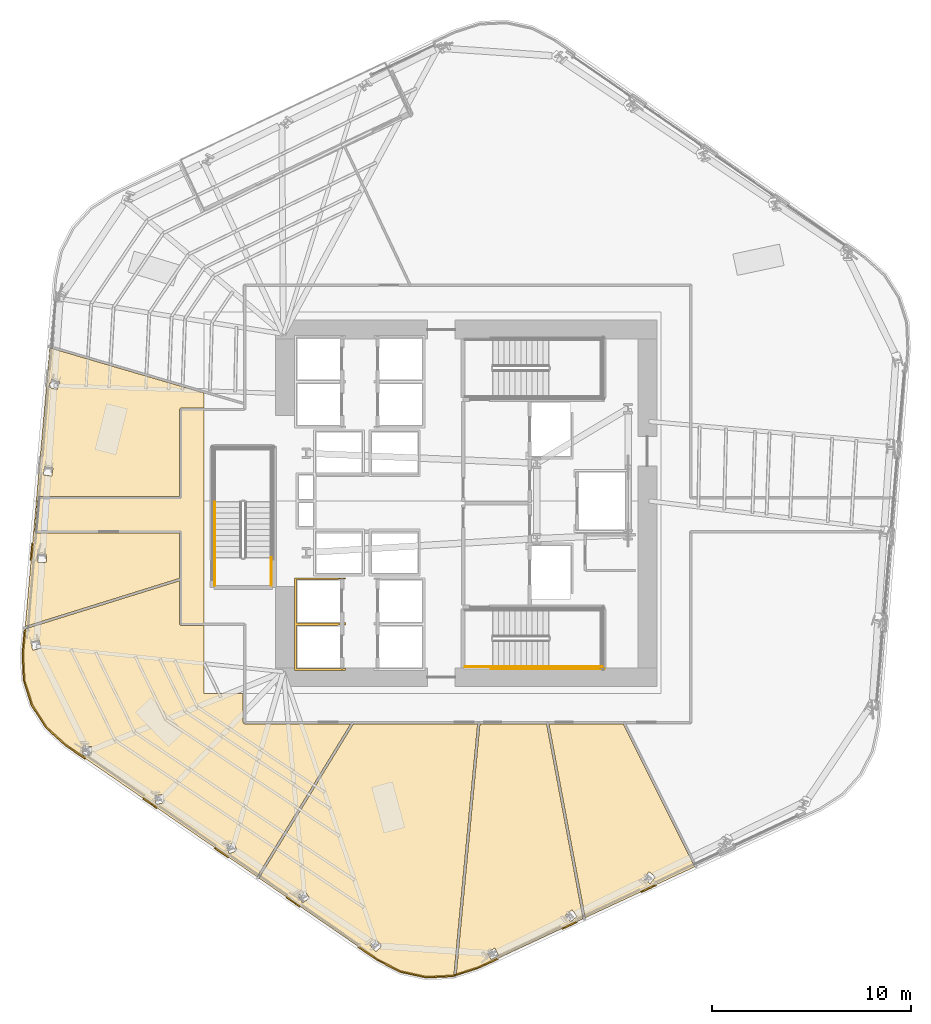
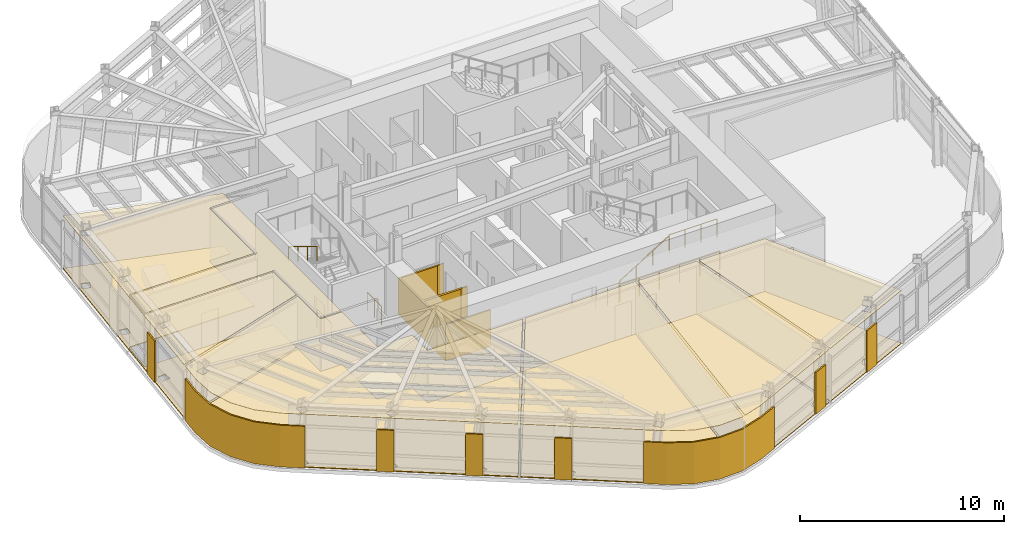
# One storey, part 12 of 19: 20 coverings, 7 railings.
"""IFC4 building model written with IfcOpenShell, lengths in metres."""

from ifc_helpers import new_model, si_unit, direction, frame, origin, origin_2d, place, context, subcontext, project, spatial, polyline, circle, outline, extrude, material, layer, layer_set, type_object, element, save


model = new_model("IFC4")

# Units and contexts
model_context = context("Model", 3, precision=1e-05, world=origin(), true_north=direction((0.0, 1.0)))
body_context = subcontext(model_context, "Body", "Model", "MODEL_VIEW")
ifc_project = project(units=[si_unit("LENGTHUNIT", "METRE"), si_unit("AREAUNIT", "SQUARE_METRE"), si_unit("VOLUMEUNIT", "CUBIC_METRE"), si_unit("PLANEANGLEUNIT", "RADIAN"), si_unit("MASSUNIT", "GRAM", prefix="KILO")], contexts=[model_context])

# Site, building, storey
site_placement = place(None, origin())
site = spatial("IfcSite", under=ifc_project, at=site_placement, CompositionType="ELEMENT")
building_placement = place(site_placement, origin())
building = spatial("IfcBuilding", under=site, at=building_placement, Name="Valkerne Bourse Tower", CompositionType="ELEMENT")
storey_placement = place(building_placement, frame((0.0, 0.0, 131.39990234375)))
storey = spatial("IfcBuildingStorey", under=building, at=storey_placement, Name="L33", CompositionType="ELEMENT", Elevation=131.39990234375)

# Coverings
ifc_material_1 = material(Name="Mineral Fiber Acoustic Ceiling Tile", Category="acoustic")
ifc_layer_1 = layer(ifc_material_1, 0.02490234375)
ifc_layer_set_1 = layer_set([ifc_layer_1], Name="Mineral Fiber Acoustic Ceiling Tile")
covering_type_1 = type_object("IfcCoveringType", Name="COV-CEIL-ACT", PredefinedType="CEILING", material=ifc_layer_set_1)
covering_1_placement = place(storey_placement, frame((0.0, 0.0, 3.170166015625)))
element("IfcCovering", 1, at=covering_1_placement, inside=storey, type_object=covering_type_1, Name="L33 Suspended Ceiling 03", PredefinedType="CEILING", context=body_context, shape_type="SweptSolid", body=[
    extrude(outline(polyline([(54.702880859375, 15.781005859375), (58.3046875, 8.58837890625), (52.791748046875, 6.022705078125), (50.965576171875, 15.781005859375), (54.702880859375, 15.781005859375)]), holes=[polyline([(56.05615234375, 7.7412109375), (56.32763671875, 8.07568359375), (56.005126953125, 8.339111328125), (56.002197265625, 8.337890625), (55.730712890625, 8.00341796875), (56.053466796875, 7.739990234375), (56.05615234375, 7.7412109375)])]), origin(), (0.0, 0.0, 1.0), 0.02490234375),
])
covering_2_placement = place(storey_placement, frame((0.0, 0.0, 3.170166015625)))
element("IfcCovering", 2, at=covering_2_placement, inside=storey, type_object=covering_type_1, Name="L33 Suspended Ceiling 04", PredefinedType="CEILING", context=body_context, shape_type="SweptSolid", body=[
    extrude(outline(polyline([(47.494873046875, 15.781005859375), (50.845458984375, 15.781005859375), (52.681396484375, 5.97119140625), (47.3720703125, 3.50048828125), (46.301513671875, 3.15869140625), (47.494873046875, 15.781005859375)]), holes=[polyline([(48.05810546875, 3.917236328125), (48.43701171875, 4.121826171875), (48.240234375, 4.489013671875), (48.237060546875, 4.48876953125), (47.858154296875, 4.2841796875), (48.0546875, 3.9169921875), (48.05810546875, 3.917236328125)]), polyline([(52.387939453125, 6.095947265625), (52.125732421875, 6.419677734375), (52.122802734375, 6.4189453125), (51.788818359375, 6.146728515625), (52.051025390625, 5.822998046875), (52.05419921875, 5.82373046875), (52.387939453125, 6.095947265625)])]), origin(), (0.0, 0.0, 1.0), 0.02490234375),
])
covering_3_placement = place(storey_placement, frame((0.0, 0.0, 3.170166015625)))
element("IfcCovering", 3, at=covering_3_placement, inside=storey, type_object=covering_type_1, Name="L33 Suspended Ceiling 05", PredefinedType="CEILING", context=body_context, shape_type="SweptSolid", body=[
    extrude(outline(polyline([(32.449462890625, 31.6689453125), (32.419921875, 31.662109375), (32.39404296875, 31.640625), (32.381103515625, 31.6005859375), (32.381103515625, 27.218994140625), (25.31884765625, 27.218994140625), (25.2900390625, 27.212646484375), (25.26806640625, 27.1962890625), (25.25048828125, 27.15673828125), (25.1005859375, 25.455322265625), (25.113525390625, 25.408935546875), (25.15185546875, 25.383056640625), (32.381103515625, 25.381103515625), (32.381103515625, 23.1044921875), (24.612060546875, 20.68212890625), (25.84912109375, 34.701416015625), (33.60009765625, 32.431396484375), (33.60009765625, 31.6689453125), (32.449462890625, 31.6689453125)]), holes=[polyline([(25.662841796875, 24.3310546875), (25.662353515625, 24.334228515625), (25.230712890625, 24.314453125), (25.249267578125, 23.899658203125), (25.24951171875, 23.896484375), (25.681396484375, 23.916259765625), (25.662841796875, 24.3310546875)]), polyline([(26.01171875, 28.65966796875), (25.5849609375, 28.728271484375), (25.518798828125, 28.318359375), (25.5185546875, 28.315185546875), (25.9453125, 28.24658203125), (26.011474609375, 28.65673828125), (26.01171875, 28.65966796875)]), polyline([(26.349853515625, 32.974853515625), (26.350830078125, 32.977783203125), (25.947021484375, 33.1318359375), (25.798583984375, 32.743896484375), (25.7978515625, 32.740966796875), (26.20166015625, 32.5869140625), (26.349853515625, 32.974853515625)])]), origin(), (0.0, 0.0, 1.0), 0.02490234375),
])
covering_4_placement = place(storey_placement, frame((0.0, 0.0, 3.170166015625)))
element("IfcCovering", 4, at=covering_4_placement, inside=storey, type_object=covering_type_1, Name="L33 Suspended Ceiling 06", PredefinedType="CEILING", context=body_context, shape_type="SweptSolid", body=[
    extrude(outline(polyline([(43.498291015625, 3.315185546875), (42.31689453125, 3.9248046875), (36.375732421875, 8.016845703125), (41.12841796875, 15.781005859375), (47.376220703125, 15.781005859375), (46.179443359375, 3.11962890625), (46.105712890625, 3.09619140625), (44.78759765625, 3.033935546875), (43.498291015625, 3.315185546875)]), holes=[polyline([(42.2626953125, 4.919189453125), (42.25927734375, 4.919921875), (41.95751953125, 4.63330078125), (42.2529296875, 4.319580078125), (42.256103515625, 4.319091796875), (42.55810546875, 4.605712890625), (42.2626953125, 4.919189453125)]), polyline([(38.68701171875, 7.366943359375), (38.68408203125, 7.3681640625), (38.333740234375, 7.143310546875), (38.565185546875, 6.779541015625), (38.568115234375, 6.7783203125), (38.91845703125, 7.00341796875), (38.68701171875, 7.366943359375)])]), origin(), (0.0, 0.0, 1.0), 0.02490234375),
])
covering_5_placement = place(storey_placement, frame((0.0, 0.0, 3.170166015625)))
element("IfcCovering", 5, at=covering_5_placement, inside=storey, type_object=covering_type_1, Name="L33 Suspended Ceiling 07", PredefinedType="CEILING", context=body_context, shape_type="SweptSolid", body=[
    extrude(outline(polyline([(24.9541015625, 16.72021484375), (24.552978515625, 17.977294921875), (24.490478515625, 19.3046875), (24.600830078125, 20.554931640625), (32.381103515625, 22.98095703125), (32.381103515625, 20.799560546875), (32.3876953125, 20.77001953125), (32.4091796875, 20.744140625), (32.449462890625, 20.73095703125), (33.60009765625, 20.73095703125), (33.60009765625, 17.300048828125), (35.5810546875, 17.300048828125), (35.5810546875, 15.849609375), (35.58740234375, 15.821044921875), (35.604248046875, 15.798095703125), (35.6494140625, 15.781005859375), (40.989990234375, 15.781005859375), (36.278564453125, 8.083984375), (26.64990234375, 14.715576171875), (25.6669921875, 15.609619140625), (24.9541015625, 16.72021484375)]), holes=[polyline([(35.11376953125, 9.802001953125), (35.111083984375, 9.8037109375), (34.722412109375, 9.655029296875), (34.875, 9.251708984375), (34.877685546875, 9.25), (35.266357421875, 9.39892578125), (35.11376953125, 9.802001953125)]), polyline([(31.53564453125, 12.225830078125), (31.533447265625, 12.22802734375), (31.12255859375, 12.161376953125), (31.189697265625, 11.735595703125), (31.19189453125, 11.7333984375), (31.60302734375, 11.800048828125), (31.53564453125, 12.225830078125)]), polyline([(27.947021484375, 14.642578125), (27.945068359375, 14.645263671875), (27.529052734375, 14.656982421875), (27.51513671875, 14.226318359375), (27.516845703125, 14.2236328125), (27.93310546875, 14.2119140625), (27.947021484375, 14.642578125)]), polyline([(25.405517578125, 19.590087890625), (25.309326171875, 19.993896484375), (25.308349609375, 19.9970703125), (24.887939453125, 19.896484375), (24.984375, 19.492919921875), (24.9853515625, 19.48974609375), (25.405517578125, 19.590087890625)])]), origin(), (0.0, 0.0, 1.0), 0.02490234375),
])
ifc_material_2 = material(Name="Bronze Anodised Aluminium AA 6063-T6", Category="aluminium")
ifc_layer_2 = layer(ifc_material_2, 0.030029296875)
ifc_layer_set_2 = layer_set([ifc_layer_2], Name="Bronze Anodised Aluminium AA 6063-T6")
covering_type_2 = type_object("IfcCoveringType", Name="COV-CEIL-METAL", PredefinedType="CEILING", material=ifc_layer_set_2)
covering_6_placement = place(storey_placement, frame((0.0, 0.0, 3.170166015625)))
element("IfcCovering", 6, at=covering_6_placement, inside=storey, type_object=covering_type_2, Name="L33 Suspended Ceiling 02", PredefinedType="CEILING", context=body_context, shape_type="SweptSolid", body=[
    extrude(outline(polyline([(32.4541015625, 20.803955078125), (32.4541015625, 25.4541015625), (25.173583984375, 25.4541015625), (25.322998046875, 27.14599609375), (32.4541015625, 27.14599609375), (32.4541015625, 31.595947265625), (33.60009765625, 31.595947265625), (33.60009765625, 20.803955078125), (32.4541015625, 20.803955078125)])), origin(), (0.0, 0.0, 1.0), 0.02490234375),
])
ifc_layer_3 = layer(ifc_material_2, 0.06005859375)
ifc_layer_set_3 = layer_set([ifc_layer_3], Name="Bronze Anodised Aluminium AA 6063-T6")
covering_type_3 = type_object("IfcCoveringType", Name="COV-CRN-ALUM", PredefinedType="CLADDING", material=ifc_layer_set_3)
covering_7_placement = place(storey_placement, origin())
element("IfcCovering", 7, at=covering_7_placement, inside=storey, type_object=covering_type_3, Name="L33 Wind-Shaped Corner Aluminium Cladding 11", PredefinedType="CLADDING", context=body_context, shape_type="SweptSolid", body=[
    extrude(outline(polyline([(55.612060546875, 7.28662109375), (55.578125, 7.359130859375), (56.339599609375, 7.71337890625), (56.373779296875, 7.64111328125), (55.612060546875, 7.28662109375)])), origin(), (0.0, 0.0, 1.0), 2.5),
])
covering_8_placement = place(storey_placement, origin())
element("IfcCovering", 8, at=covering_8_placement, inside=storey, type_object=covering_type_3, Name="L33 Wind-Shaped Corner Aluminium Cladding 12", PredefinedType="CLADDING", context=body_context, shape_type="SweptSolid", body=[
    extrude(outline(polyline([(51.638427734375, 5.4375), (51.604248046875, 5.509765625), (52.365966796875, 5.8642578125), (52.39990234375, 5.791748046875), (51.638427734375, 5.4375)])), origin(), (0.0, 0.0, 1.0), 2.5),
])
covering_9_placement = place(storey_placement, origin())
element("IfcCovering", 9, at=covering_9_placement, inside=storey, type_object=covering_type_3, Name="L33 Wind-Shaped Corner Aluminium Cladding 13", PredefinedType="CLADDING", context=body_context, shape_type="SweptSolid", body=[
    extrude(outline(polyline([(47.38818359375, 3.459228515625), (46.11328125, 3.052490234375), (44.78369140625, 2.98974609375), (43.4833984375, 3.2734375), (42.294189453125, 3.88720703125), (41.351318359375, 4.53662109375), (41.39697265625, 4.602294921875), (42.33544921875, 3.955810546875), (43.510498046875, 3.349365234375), (44.79052734375, 3.0703125), (46.09912109375, 3.1318359375), (47.35888671875, 3.533935546875), (48.39208984375, 4.014892578125), (48.42626953125, 3.9423828125), (47.38818359375, 3.459228515625)])), origin(), (0.0, 0.0, 1.0), 2.5),
])
covering_10_placement = place(storey_placement, origin())
element("IfcCovering", 10, at=covering_10_placement, inside=storey, type_object=covering_type_3, Name="L33 Wind-Shaped Corner Aluminium Cladding 14", PredefinedType="CLADDING", context=body_context, shape_type="SweptSolid", body=[
    extrude(outline(polyline([(37.74169921875, 7.022705078125), (37.787109375, 7.08837890625), (38.47900390625, 6.612060546875), (38.433349609375, 6.54638671875), (37.74169921875, 7.022705078125)])), origin(), (0.0, 0.0, 1.0), 2.5),
])
covering_11_placement = place(storey_placement, origin())
element("IfcCovering", 11, at=covering_11_placement, inside=storey, type_object=covering_type_3, Name="L33 Wind-Shaped Corner Aluminium Cladding 15", PredefinedType="CLADDING", context=body_context, shape_type="SweptSolid", body=[
    extrude(outline(polyline([(34.1318359375, 9.5087890625), (34.177490234375, 9.574462890625), (34.869384765625, 9.09814453125), (34.82373046875, 9.032470703125), (34.1318359375, 9.5087890625)])), origin(), (0.0, 0.0, 1.0), 2.5),
])
covering_12_placement = place(storey_placement, origin())
element("IfcCovering", 12, at=covering_12_placement, inside=storey, type_object=covering_type_3, Name="L33 Wind-Shaped Corner Aluminium Cladding 16", PredefinedType="CLADDING", context=body_context, shape_type="SweptSolid", body=[
    extrude(outline(polyline([(30.522216796875, 11.9951171875), (30.56787109375, 12.060791015625), (31.259521484375, 11.584228515625), (31.214111328125, 11.5185546875), (30.522216796875, 11.9951171875)])), origin(), (0.0, 0.0, 1.0), 2.5),
])
covering_13_placement = place(storey_placement, origin())
element("IfcCovering", 13, at=covering_13_placement, inside=storey, type_object=covering_type_3, Name="L33 Wind-Shaped Corner Aluminium Cladding 17", PredefinedType="CLADDING", context=body_context, shape_type="SweptSolid", body=[
    extrude(outline(polyline([(26.62255859375, 14.680908203125), (25.633056640625, 15.5810546875), (24.9140625, 16.701171875), (24.509521484375, 17.969482421875), (24.4462890625, 19.305419921875), (24.551025390625, 20.492919921875), (24.630859375, 20.486083984375), (24.526611328125, 19.3037109375), (24.5888671875, 17.983642578125), (24.987060546875, 16.735595703125), (25.69482421875, 15.63330078125), (26.67236328125, 14.74365234375), (27.64990234375, 14.0703125), (27.604248046875, 14.004638671875), (26.62255859375, 14.680908203125)])), origin(), (0.0, 0.0, 1.0), 2.5),
])
covering_14_placement = place(storey_placement, origin())
element("IfcCovering", 14, at=covering_14_placement, inside=storey, type_object=covering_type_3, Name="L33 Wind-Shaped Corner Aluminium Cladding 18", PredefinedType="CLADDING", context=body_context, shape_type="SweptSolid", body=[
    extrude(outline(polyline([(24.936279296875, 24.85888671875), (25.01611328125, 24.852294921875), (24.9423828125, 24.015380859375), (24.862548828125, 24.022216796875), (24.936279296875, 24.85888671875)])), origin(), (0.0, 0.0, 1.0), 2.5),
])
ifc_material_3 = material(Name="Galvanised Painted Steel", Category="steel")
ifc_layer_4 = layer(ifc_material_3, 0.044921875)
ifc_layer_set_4 = layer_set([ifc_layer_4], Name="Galvanised Painted Steel")
covering_type_4 = type_object("IfcCoveringType", Name="COV-FLR-RAF", PredefinedType="FLOORING", material=ifc_layer_set_4)
covering_15_placement = place(storey_placement, origin())
element("IfcCovering", 15, at=covering_15_placement, inside=storey, type_object=covering_type_4, Name="L33 Floor Finish 05", PredefinedType="FLOORING", context=body_context, shape_type="SweptSolid", body=[
    extrude(outline(polyline([(32.449462890625, 31.6689453125), (32.419921875, 31.662109375), (32.39404296875, 31.640625), (32.381103515625, 31.6005859375), (32.381103515625, 27.218994140625), (25.31884765625, 27.218994140625), (25.2900390625, 27.212646484375), (25.26806640625, 27.1962890625), (25.25048828125, 27.15673828125), (25.1005859375, 25.455322265625), (25.113525390625, 25.408935546875), (25.15185546875, 25.383056640625), (32.381103515625, 25.381103515625), (32.381103515625, 23.1044921875), (24.612060546875, 20.68212890625), (25.84912109375, 34.701416015625), (33.60009765625, 32.431396484375), (33.60009765625, 31.6689453125), (32.449462890625, 31.6689453125)]), holes=[polyline([(25.662841796875, 24.3310546875), (25.662353515625, 24.334228515625), (25.230712890625, 24.314453125), (25.249267578125, 23.899658203125), (25.24951171875, 23.896484375), (25.681396484375, 23.916259765625), (25.662841796875, 24.3310546875)]), polyline([(26.01171875, 28.65966796875), (25.5849609375, 28.728271484375), (25.518798828125, 28.318359375), (25.5185546875, 28.315185546875), (25.9453125, 28.24658203125), (26.011474609375, 28.65673828125), (26.01171875, 28.65966796875)]), polyline([(26.349853515625, 32.974853515625), (26.350830078125, 32.977783203125), (25.947021484375, 33.1318359375), (25.798583984375, 32.743896484375), (25.7978515625, 32.740966796875), (26.20166015625, 32.5869140625), (26.349853515625, 32.974853515625)])]), origin(), (0.0, 0.0, 1.0), 0.045166015625),
])
covering_16_placement = place(storey_placement, origin())
element("IfcCovering", 16, at=covering_16_placement, inside=storey, type_object=covering_type_4, Name="L33 Floor Finish 06", PredefinedType="FLOORING", context=body_context, shape_type="SweptSolid", body=[
    extrude(outline(polyline([(43.498291015625, 3.315185546875), (42.31689453125, 3.9248046875), (36.375732421875, 8.016845703125), (41.12841796875, 15.781005859375), (47.376220703125, 15.781005859375), (46.179443359375, 3.11962890625), (46.105712890625, 3.09619140625), (44.78759765625, 3.033935546875), (43.498291015625, 3.315185546875)]), holes=[polyline([(42.2626953125, 4.919189453125), (42.25927734375, 4.919921875), (41.95751953125, 4.63330078125), (42.2529296875, 4.319580078125), (42.256103515625, 4.319091796875), (42.55810546875, 4.605712890625), (42.2626953125, 4.919189453125)]), polyline([(38.68701171875, 7.366943359375), (38.68408203125, 7.3681640625), (38.333740234375, 7.143310546875), (38.565185546875, 6.779541015625), (38.568115234375, 6.7783203125), (38.91845703125, 7.00341796875), (38.68701171875, 7.366943359375)])]), origin(), (0.0, 0.0, 1.0), 0.045166015625),
])
covering_17_placement = place(storey_placement, origin())
element("IfcCovering", 17, at=covering_17_placement, inside=storey, type_object=covering_type_4, Name="L33 Floor Finish 07", PredefinedType="FLOORING", context=body_context, shape_type="SweptSolid", body=[
    extrude(outline(polyline([(24.9541015625, 16.72021484375), (24.552978515625, 17.977294921875), (24.490478515625, 19.3046875), (24.600830078125, 20.554931640625), (32.381103515625, 22.98095703125), (32.381103515625, 20.799560546875), (32.3876953125, 20.77001953125), (32.4091796875, 20.744140625), (32.449462890625, 20.73095703125), (33.60009765625, 20.73095703125), (33.60009765625, 17.300048828125), (35.5810546875, 17.300048828125), (35.5810546875, 15.849609375), (35.58740234375, 15.821044921875), (35.604248046875, 15.798095703125), (35.6494140625, 15.781005859375), (40.989990234375, 15.781005859375), (36.278564453125, 8.083984375), (26.64990234375, 14.715576171875), (25.6669921875, 15.609619140625), (24.9541015625, 16.72021484375)]), holes=[polyline([(35.11376953125, 9.802001953125), (35.111083984375, 9.8037109375), (34.722412109375, 9.655029296875), (34.875, 9.251708984375), (34.877685546875, 9.25), (35.266357421875, 9.39892578125), (35.11376953125, 9.802001953125)]), polyline([(31.53564453125, 12.225830078125), (31.533447265625, 12.22802734375), (31.12255859375, 12.161376953125), (31.189697265625, 11.735595703125), (31.19189453125, 11.7333984375), (31.60302734375, 11.800048828125), (31.53564453125, 12.225830078125)]), polyline([(27.947021484375, 14.642578125), (27.945068359375, 14.645263671875), (27.529052734375, 14.656982421875), (27.51513671875, 14.226318359375), (27.516845703125, 14.2236328125), (27.93310546875, 14.2119140625), (27.947021484375, 14.642578125)]), polyline([(25.405517578125, 19.590087890625), (25.309326171875, 19.993896484375), (25.308349609375, 19.9970703125), (24.887939453125, 19.896484375), (24.984375, 19.492919921875), (24.9853515625, 19.48974609375), (25.405517578125, 19.590087890625)])]), origin(), (0.0, 0.0, 1.0), 0.045166015625),
])
ifc_material_4 = material(Name="Polished Granite Stone", Category="masonry")
ifc_layer_5 = layer(ifc_material_4, 0.030029296875)
ifc_layer_set_5 = layer_set([ifc_layer_5], Name="Polished Granite Stone")
covering_type_5 = type_object("IfcCoveringType", Name="COV-FLR-TERRAZZO", PredefinedType="FLOORING", material=ifc_layer_set_5)
covering_18_placement = place(storey_placement, origin())
element("IfcCovering", 18, at=covering_18_placement, inside=storey, type_object=covering_type_5, Name="L33 Floor Finish 03", PredefinedType="FLOORING", context=body_context, shape_type="SweptSolid", body=[
    extrude(outline(polyline([(54.702880859375, 15.781005859375), (58.3046875, 8.58837890625), (52.791748046875, 6.022705078125), (50.965576171875, 15.781005859375), (54.702880859375, 15.781005859375)]), holes=[polyline([(56.05615234375, 7.7412109375), (56.32763671875, 8.07568359375), (56.005126953125, 8.339111328125), (56.002197265625, 8.337890625), (55.730712890625, 8.00341796875), (56.053466796875, 7.739990234375), (56.05615234375, 7.7412109375)])]), origin(), (0.0, 0.0, 1.0), 0.030029296875),
])
covering_19_placement = place(storey_placement, origin())
element("IfcCovering", 19, at=covering_19_placement, inside=storey, type_object=covering_type_5, Name="L33 Floor Finish 04", PredefinedType="FLOORING", context=body_context, shape_type="SweptSolid", body=[
    extrude(outline(polyline([(47.494873046875, 15.781005859375), (50.845458984375, 15.781005859375), (52.681396484375, 5.97119140625), (47.3720703125, 3.50048828125), (46.301513671875, 3.15869140625), (47.494873046875, 15.781005859375)]), holes=[polyline([(48.05810546875, 3.917236328125), (48.43701171875, 4.121826171875), (48.240234375, 4.489013671875), (48.237060546875, 4.48876953125), (47.858154296875, 4.2841796875), (48.0546875, 3.9169921875), (48.05810546875, 3.917236328125)]), polyline([(52.387939453125, 6.095947265625), (52.125732421875, 6.419677734375), (52.122802734375, 6.4189453125), (51.788818359375, 6.146728515625), (52.051025390625, 5.822998046875), (52.05419921875, 5.82373046875), (52.387939453125, 6.095947265625)])]), origin(), (0.0, 0.0, 1.0), 0.030029296875),
])
ifc_material_5 = material(Name="Gypsum Shaftwall Liner Board", Category="gypsum")
ifc_layer_6 = layer(ifc_material_5, 0.080078125)
ifc_layer_set_6 = layer_set([ifc_layer_6], Name="Gypsum Shaftwall Liner Board")
covering_type_6 = type_object("IfcCoveringType", Name="COV-SHF-CLAD", PredefinedType="CLADDING", material=ifc_layer_set_6)
covering_20_placement = place(storey_placement, origin())
element("IfcCovering", 20, at=covering_20_placement, inside=storey, type_object=covering_type_6, Name="L33 Hoistway & Riser Shaftwall Liner 01", PredefinedType="CLADDING", context=body_context, shape_type="SweptSolid", body=[
    extrude(outline(polyline([(38.169921875, 23.1298828125), (40.72998046875, 23.1298828125), (40.72998046875, 23.052001953125), (40.72216796875, 23.0556640625), (40.6806640625, 23.070556640625), (40.6376953125, 23.081298828125), (40.593994140625, 23.087890625), (40.550048828125, 23.090087890625), (40.505859375, 23.087890625), (40.462158203125, 23.081298828125), (40.41943359375, 23.070556640625), (40.377685546875, 23.0556640625), (40.344482421875, 23.0400390625), (38.260009765625, 23.0400390625), (38.260009765625, 20.860107421875), (40.456787109375, 20.860107421875), (40.462158203125, 20.858642578125), (40.505859375, 20.852294921875), (40.550048828125, 20.85009765625), (40.593994140625, 20.852294921875), (40.6376953125, 20.858642578125), (40.6806640625, 20.869384765625), (40.72216796875, 20.88427734375), (40.72998046875, 20.887939453125), (40.72998046875, 20.830078125), (40.72998046875, 20.77001953125), (40.72998046875, 20.752197265625), (40.72216796875, 20.755615234375), (40.6806640625, 20.7705078125), (40.6376953125, 20.781494140625), (40.593994140625, 20.787841796875), (40.550048828125, 20.7900390625), (40.505859375, 20.787841796875), (40.462158203125, 20.781494140625), (40.41943359375, 20.7705078125), (40.377685546875, 20.755615234375), (40.344482421875, 20.739990234375), (38.260009765625, 20.739990234375), (38.260009765625, 18.56005859375), (40.456787109375, 18.56005859375), (40.462158203125, 18.55859375), (40.505859375, 18.55224609375), (40.550048828125, 18.550048828125), (40.593994140625, 18.55224609375), (40.6376953125, 18.55859375), (40.6806640625, 18.5693359375), (40.72216796875, 18.584228515625), (40.72998046875, 18.587890625), (40.72998046875, 18.469970703125), (38.169921875, 18.469970703125), (38.169921875, 20.77001953125), (38.169921875, 20.830078125), (38.169921875, 23.1298828125)])), origin(), (0.0, 0.0, 1.0), 2.18017578125),
])

# Railings
railing_type_1 = type_object("IfcRailingType", Name="RLG-ST-GUARD-1120", PredefinedType="GUARDRAIL", material=ifc_material_3)
railing_1_placement = place(storey_placement, frame((50.949951171875, 18.64990234375, 1.900146484375)))
element("IfcRailing", 21, at=railing_1_placement, inside=storey, type_object=railing_type_1, Name="L33 ST-1 stair guard 3", PredefinedType="GUARDRAIL", context=body_context, shape_type="SweptSolid", body=[
    extrude(circle(Radius=0.02392578125, at=origin_2d()), frame((0.0, 0.0, 1.09619140625), z_axis=(1.0, 0.0, 0.0), x_axis=(0.0, 1.0, 0.0)), (0.0, 0.0, 1.0), 2.699951171875),
    extrude(circle(Radius=0.02099609375, at=origin_2d()), origin(), (0.0, 0.0, 1.0), 1.072021484375),
    extrude(circle(Radius=0.02099609375, at=origin_2d()), frame((0.89990234375, 0.0, 0.0)), (0.0, 0.0, 1.0), 1.072021484375),
    extrude(circle(Radius=0.02099609375, at=origin_2d()), frame((1.800048828125, 0.0, 0.0)), (0.0, 0.0, 1.0), 1.072021484375),
    extrude(circle(Radius=0.02099609375, at=origin_2d()), frame((2.699951171875, 0.0, 0.0)), (0.0, 0.0, 1.0), 1.072021484375),
])
railing_2_placement = place(storey_placement, frame((46.75, 18.64990234375, 0.0)))
element("IfcRailing", 22, at=railing_2_placement, inside=storey, type_object=railing_type_1, Name="L33 ST-1 stair guard 8", PredefinedType="GUARDRAIL", context=body_context, shape_type="SweptSolid", body=[
    extrude(circle(Radius=0.02392578125, at=origin_2d()), frame((0.0, 0.0, 1.09619140625), z_axis=(1.0, 0.0, 0.0), x_axis=(0.0, 1.0, 0.0)), (0.0, 0.0, 1.0), 1.39990234375),
    extrude(circle(Radius=0.02099609375, at=origin_2d()), origin(), (0.0, 0.0, 1.0), 1.072021484375),
    extrude(circle(Radius=0.02099609375, at=origin_2d()), frame((0.699951171875, 0.0, 0.0)), (0.0, 0.0, 1.0), 1.072021484375),
    extrude(circle(Radius=0.02099609375, at=origin_2d()), frame((1.39990234375, 0.0, 0.0)), (0.0, 0.0, 1.0), 1.072021484375),
])
railing_3_placement = place(storey_placement, frame((48.050048828125, 18.550048828125, 0.0)))
element("IfcRailing", 23, at=railing_3_placement, inside=storey, type_object=railing_type_1, Name="L33 ST-1 stair guard 10", PredefinedType="GUARDRAIL", context=body_context, shape_type="SweptSolid", body=[
    extrude(circle(Radius=0.02392578125, at=origin_2d()), frame((0.0, 0.0, 1.09619140625), z_axis=(1.0, 0.0, 0.0), x_axis=(0.0, 1.0, 0.0)), (0.0, 0.0, 1.0), 5.699951171875),
    extrude(circle(Radius=0.02099609375, at=origin_2d()), origin(), (0.0, 0.0, 1.0), 1.072021484375),
    extrude(circle(Radius=0.02099609375, at=origin_2d()), frame((1.139892578125, 0.0, 0.0)), (0.0, 0.0, 1.0), 1.072021484375),
    extrude(circle(Radius=0.02099609375, at=origin_2d()), frame((2.280029296875, 0.0, 0.0)), (0.0, 0.0, 1.0), 1.072021484375),
    extrude(circle(Radius=0.02099609375, at=origin_2d()), frame((3.419921875, 0.0, 0.0)), (0.0, 0.0, 1.0), 1.072021484375),
    extrude(circle(Radius=0.02099609375, at=origin_2d()), frame((4.56005859375, 0.0, 0.0)), (0.0, 0.0, 1.0), 1.072021484375),
    extrude(circle(Radius=0.02099609375, at=origin_2d()), frame((5.699951171875, 0.0, 0.0)), (0.0, 0.0, 1.0), 1.072021484375),
])
for number, where, name in (
    (24, (37.0, 22.75, 0.0), "L33 ST-3 stair guard 8"),
    (25, (34.14990234375, 22.75, 0.0), "L33 ST-3 stair guard 9"),
):
    element("IfcRailing", number, at=place(storey_placement, frame(where)), inside=storey, type_object=railing_type_1, Name=name, PredefinedType="GUARDRAIL", context=body_context, shape_type="SweptSolid", body=[
        extrude(circle(Radius=0.02392578125, at=origin_2d()), frame((0.0, 0.0, 1.09619140625), z_axis=(0.0, 1.0, 0.0), x_axis=(-1.0, 0.0, 0.0)), (0.0, 0.0, 1.0), 1.39990234375),
        extrude(circle(Radius=0.02099609375, at=origin_2d()), origin(), (0.0, 0.0, 1.0), 1.072021484375),
        extrude(circle(Radius=0.02099609375, at=origin_2d()), frame((0.0, 0.699951171875, 0.0)), (0.0, 0.0, 1.0), 1.072021484375),
        extrude(circle(Radius=0.02099609375, at=origin_2d()), frame((0.0, 1.39990234375, 0.0)), (0.0, 0.0, 1.0), 1.072021484375),
    ])
ifc_material_6 = material(Name="Stainless Steel AISI 316", Category="steel")
railing_type_2 = type_object("IfcRailingType", Name="RLG-ST-HANDRAIL-900", PredefinedType="HANDRAIL", material=ifc_material_6)
railing_4_placement = place(storey_placement, frame((48.14990234375, 18.64990234375, 0.345458984375)))
element("IfcRailing", 26, at=railing_4_placement, inside=storey, type_object=railing_type_2, Name="L33 ST-1 stair handrail 1", PredefinedType="HANDRAIL", context=body_context, shape_type="SweptSolid", body=[
    extrude(circle(Radius=0.02392578125, at=origin_2d()), frame((0.0, 0.0, 0.8759765625), z_axis=(0.851089632645, 0.0, 0.525020415988), x_axis=(0.0, 1.0, 0.0)), (0.0, 0.0, 1.0), 3.2900390625),
    extrude(circle(Radius=0.02099609375, at=origin_2d()), origin(), (0.0, 0.0, 1.0), 0.851806640625),
    extrude(circle(Radius=0.02099609375, at=origin_2d()), frame((0.933349609375, 0.0, 0.57568359375)), (0.0, 0.0, 1.0), 0.851806640625),
    extrude(circle(Radius=0.02099609375, at=origin_2d()), frame((1.86669921875, 0.0, 1.151611328125)), (0.0, 0.0, 1.0), 0.851806640625),
    extrude(circle(Radius=0.02099609375, at=origin_2d()), frame((2.800048828125, 0.0, 1.727294921875)), (0.0, 0.0, 1.0), 0.851806640625),
])
railing_5_placement = place(storey_placement, frame((34.14990234375, 26.949951171875, 2.24560546875)))
element("IfcRailing", 27, at=railing_5_placement, inside=storey, type_object=railing_type_2, Name="L33 ST-3 stair handrail 2", PredefinedType="HANDRAIL", context=body_context, shape_type="SweptSolid", body=[
    extrude(circle(Radius=0.02392578125, at=origin_2d()), frame((0.0, 0.0, 0.8759765625), z_axis=(0.0, -0.851089632645, 0.525020415988), x_axis=(1.0, 0.0, 0.0)), (0.0, 0.0, 1.0), 3.2900390625),
    extrude(circle(Radius=0.02099609375, at=origin_2d()), origin(), (0.0, 0.0, 1.0), 0.851806640625),
    extrude(circle(Radius=0.02099609375, at=origin_2d()), frame((0.0, -0.933349609375, 0.57568359375)), (0.0, 0.0, 1.0), 0.851806640625),
    extrude(circle(Radius=0.02099609375, at=origin_2d()), frame((0.0, -1.86669921875, 1.151611328125)), (0.0, 0.0, 1.0), 0.851806640625),
    extrude(circle(Radius=0.02099609375, at=origin_2d()), frame((0.0, -2.800048828125, 1.727294921875)), (0.0, 0.0, 1.0), 0.851806640625),
])

save(model, "model.ifc")
